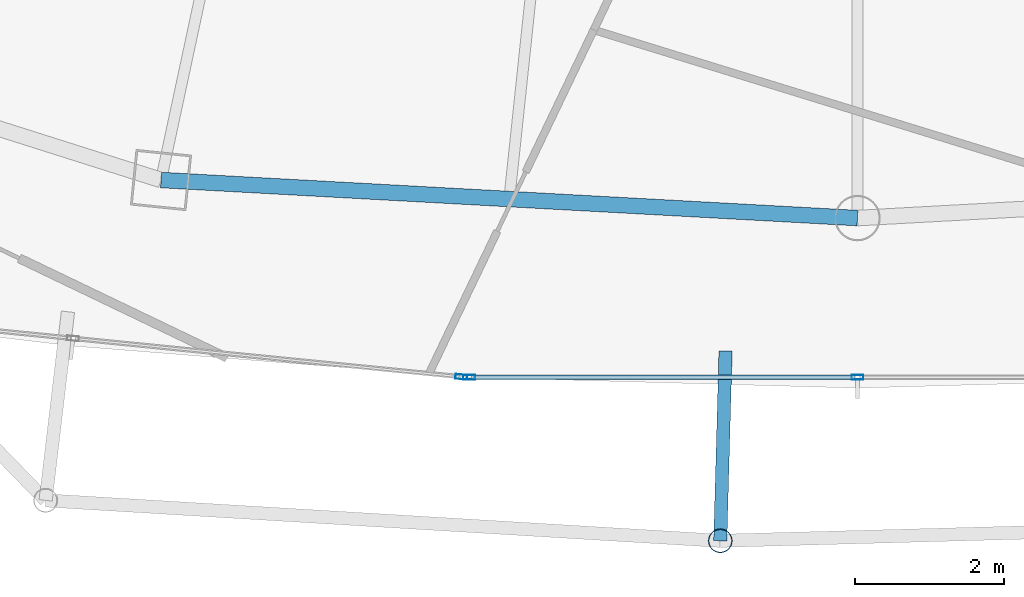
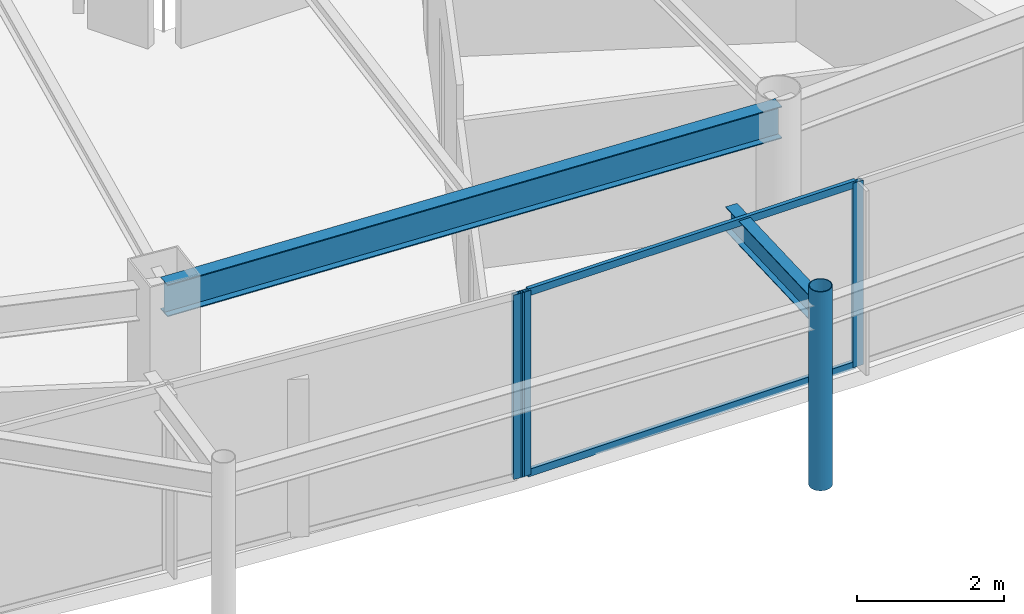
# One storey, part 8 of 33: 6 members, 2 beams, 2 elements without a shape of their own.
"""IFC4 building model written with IfcOpenShell, lengths in metres."""

from ifc_helpers import new_model, si_unit, direction, frame, origin, origin_2d, place, context, subcontext, project, spatial, hollow_rectangle, hollow_circle, i_section, extrude, material, layer, layer_set, material_profile, profile_set, type_object, element, aggregate, save


model = new_model("IFC4")

# Units and contexts
model_context = context("Model", 3, precision=1e-05, world=origin(), true_north=direction((0.0, 1.0)))
body_context = subcontext(model_context, "Body", "Model", "MODEL_VIEW")
ifc_project = project(units=[si_unit("LENGTHUNIT", "METRE"), si_unit("AREAUNIT", "SQUARE_METRE"), si_unit("VOLUMEUNIT", "CUBIC_METRE"), si_unit("PLANEANGLEUNIT", "RADIAN"), si_unit("MASSUNIT", "GRAM", prefix="KILO")], contexts=[model_context])

# Site, building, storey
site_placement = place(None, origin())
site = spatial("IfcSite", under=ifc_project, at=site_placement, CompositionType="ELEMENT")
building_placement = place(site_placement, origin())
building = spatial("IfcBuilding", under=site, at=building_placement, Name="Orvanel Arch Residences", CompositionType="ELEMENT")
storey_placement = place(building_placement, frame((0.0, 0.0, 206.300048828125)))
storey = spatial("IfcBuildingStorey", under=building, at=storey_placement, Name="L58", CompositionType="ELEMENT", Elevation=206.300048828125)

# Curtain wall, member
ifc_material_1 = material(Name="Bronze-anodised aluminium AA6063-T6", Category="aluminium")
ifc_layer = layer(ifc_material_1, 0.175048828125)
ifc_layer_set = layer_set([ifc_layer], Name="Bronze-anodised aluminium AA6063-T6")
curtain_wall_type = type_object("IfcCurtainWallType", Name="CW4-HI-SYS", PredefinedType="NOTDEFINED", material=ifc_layer_set)
curtain_wall_1_placement = place(storey_placement, origin())
curtain_wall_1 = element("IfcCurtainWall", 1, at=curtain_wall_1_placement, inside=storey, type_object=curtain_wall_type, Name="L58 CW4-HI-SYS Unitised Curtain Wall", PredefinedType="NOTDEFINED")
ifc_material_profile_1 = material_profile(ifc_material_1, hollow_rectangle(XDim=0.06494140625, YDim=0.159912109375, WallThickness=0.00390625, at=origin_2d()), Name="ALU160x65x4")
ifc_profile_set_1 = profile_set([ifc_material_profile_1], Name="Bronze-anodised aluminium AA6063-T6")
member_type_1 = type_object("IfcMemberType", Name="MUL-160x65", PredefinedType="MULLION", material=ifc_profile_set_1)
member_1_placement = place(storey_placement, frame((27.6806640625, 4.712158203125, 0.0), z_axis=(0.0, 0.0, 1.0), x_axis=(0.098621122229, 0.995125054579, 0.0)))
member_1 = element("IfcMember", 2, at=member_1_placement, type_object=member_type_1, Name="CW-S4 mullion 3", PredefinedType="MULLION", context=body_context, shape_type="SweptSolid", body=[
    extrude(hollow_rectangle(XDim=0.06494140625, YDim=0.159912109375, WallThickness=0.00390625, at=origin_2d()), origin(), (0.0, 0.0, 1.0), 3.06005859375),
])
aggregate(curtain_wall_1, [member_1])

# Curtain wall, members
curtain_wall_2_placement = place(storey_placement, origin())
curtain_wall_2 = element("IfcCurtainWall", 3, at=curtain_wall_2_placement, inside=storey, type_object=curtain_wall_type, Name="L58 CW4-HI-SYS Unitised Curtain Wall", PredefinedType="NOTDEFINED")
member_2_placement = place(storey_placement, frame((27.785400390625, 4.70703125, 0.0), z_axis=(0.0, 0.0, 1.0), x_axis=(0.0, 1.0, 0.0)))
member_2 = element("IfcMember", 4, at=member_2_placement, type_object=member_type_1, Name="CW-S4 mullion 1", PredefinedType="MULLION", context=body_context, shape_type="SweptSolid", body=[
    extrude(hollow_rectangle(XDim=0.06494140625, YDim=0.159912109375, WallThickness=0.00390625, at=origin_2d()), origin(), (0.0, 0.0, 1.0), 3.06005859375),
])
member_3_placement = place(storey_placement, frame((33.0, 4.70703125, 0.0), z_axis=(0.0, 0.0, 1.0), x_axis=(0.0, 1.0, 0.0)))
member_3 = element("IfcMember", 5, at=member_3_placement, type_object=member_type_1, Name="CW-S4 mullion 2", PredefinedType="MULLION", context=body_context, shape_type="SweptSolid", body=[
    extrude(hollow_rectangle(XDim=0.06494140625, YDim=0.159912109375, WallThickness=0.00390625, at=origin_2d()), origin(), (0.0, 0.0, 1.0), 3.06005859375),
])

# Beams
ifc_material_2 = material(Name="Structural steel AS/NZS 3679.1 Grade 300 (300 MPa)", Category="steel")
ifc_material_profile_2 = material_profile(ifc_material_2, i_section(OverallWidth=0.177978515625, OverallDepth=0.406005859375, WebThickness=0.0078125, FlangeThickness=0.0126953125, at=origin_2d()), Name="410UB59.7")
ifc_profile_set_2 = profile_set([ifc_material_profile_2], Name="Structural steel AS/NZS 3679.1 Grade 300 (300 MPa)")
beam_type_1 = type_object("IfcBeamType", Name="OB-410UB-EXT", PredefinedType="SPANDREL", material=ifc_profile_set_2)
beam_1_placement = place(storey_placement, frame((31.22900390625, 5.06005859375, 2.85693359375), z_axis=(-0.027860075025, -0.999611832773, 0.0), x_axis=(0.999611832773, -0.027860075025, 0.0)))
element("IfcBeam", 6, at=beam_1_placement, inside=storey, type_object=beam_type_1, Name="L58 Outer Frame Radial Tie Beam 06", PredefinedType="SPANDREL", context=body_context, shape_type="SweptSolid", body=[
    extrude(i_section(OverallWidth=0.177978515625, OverallDepth=0.406005859375, WebThickness=0.0078125, FlangeThickness=0.0126953125, at=origin_2d()), origin(), (0.0, 0.0, 1.0), 2.550048828125),
])
ifc_material_profile_3 = material_profile(ifc_material_2, i_section(OverallWidth=0.208984375, OverallDepth=0.532958984375, WebThickness=0.01025390625, FlangeThickness=0.015625, at=origin_2d()), Name="530UB92.4")
ifc_profile_set_3 = profile_set([ifc_material_profile_3], Name="Structural steel AS/NZS 3679.1 Grade 300 (300 MPa)")
beam_type_2 = type_object("IfcBeamType", Name="SP-530UB", PredefinedType="SPANDREL", material=ifc_profile_set_3)
beam_2_placement = place(storey_placement, frame((23.64892578125, 7.35498046875, 2.7939453125), z_axis=(0.998510315598, -0.054563262768, 0.0), x_axis=(0.054563262768, 0.998510315598, 0.0)))
element("IfcBeam", 7, at=beam_2_placement, inside=storey, type_object=beam_type_2, Name="L58 Perimeter Spandrel Beam 03", PredefinedType="SPANDREL", context=body_context, shape_type="SweptSolid", body=[
    extrude(i_section(OverallWidth=0.208984375, OverallDepth=0.532958984375, WebThickness=0.01025390625, FlangeThickness=0.015625, at=origin_2d()), origin(), (0.0, 0.0, 1.0), 9.364990234375),
])

# Member
ifc_material_3 = material(Name="Structural steel AS/NZS 1163 C350L0 (Grade 350)", Category="steel")
ifc_material_profile_4 = material_profile(ifc_material_3, hollow_circle(Radius=0.162109375, WallThickness=0.0126953125, at=origin_2d()), Name="CHS324x12.7")
ifc_profile_set_4 = profile_set([ifc_material_profile_4], Name="Structural steel AS/NZS 1163 C350L0 (Grade 350)")
member_type_2 = type_object("IfcMemberType", Name="ST-324CHS-EXT", PredefinedType="STRUT", material=ifc_profile_set_4)
member_4_placement = place(storey_placement, frame((31.157958984375, 2.510986328125, 0.0), z_axis=(0.0, 0.0, 1.0), x_axis=(1.0, 0.0, 0.0)))
element("IfcMember", 8, at=member_4_placement, inside=storey, type_object=member_type_2, Name="L58 Outer Perimeter Frame Post 06", PredefinedType="STRUT", context=body_context, shape_type="SweptSolid", body=[
    extrude(hollow_circle(Radius=0.162109375, WallThickness=0.0126953125, at=origin_2d()), origin(), (0.0, 0.0, 1.0), 3.300048828125),
])

ifc_material_profile_5 = material_profile(ifc_material_1, hollow_rectangle(XDim=0.06005859375, YDim=0.1201171875, WallThickness=0.00341796875, at=origin_2d()), Name="ALU120x60x3.5")
ifc_profile_set_5 = profile_set([ifc_material_profile_5], Name="Bronze-anodised aluminium AA6063-T6")
member_type_3 = type_object("IfcMemberType", Name="TRN-120x60", PredefinedType="USERDEFINED", material=ifc_profile_set_5)
member_5_placement = place(storey_placement, frame((27.818115234375, 4.70703125, 0.030029296875), z_axis=(1.0, 0.0, 0.0), x_axis=(0.0, 1.0, 0.0)))
member_5 = element("IfcMember", 9, at=member_5_placement, type_object=member_type_3, Name="CW-S4 transom 1.1", ObjectType="TRANSOM", PredefinedType="USERDEFINED", context=body_context, shape_type="SweptSolid", body=[
    extrude(hollow_rectangle(XDim=0.06005859375, YDim=0.1201171875, WallThickness=0.00341796875, at=origin_2d()), origin(), (0.0, 0.0, 1.0), 5.1494140625),
])

member_6_placement = place(storey_placement, frame((27.818115234375, 4.70703125, 3.030029296875), z_axis=(1.0, 0.0, 0.0), x_axis=(0.0, 1.0, 0.0)))
member_6 = element("IfcMember", 10, at=member_6_placement, type_object=member_type_3, Name="CW-S4 transom 1.2", ObjectType="TRANSOM", PredefinedType="USERDEFINED", context=body_context, shape_type="SweptSolid", body=[
    extrude(hollow_rectangle(XDim=0.06005859375, YDim=0.1201171875, WallThickness=0.00341796875, at=origin_2d()), origin(), (0.0, 0.0, 1.0), 5.1494140625),
])

aggregate(curtain_wall_2, [member_2, member_3, member_5, member_6])

save(model, "model.ifc")
